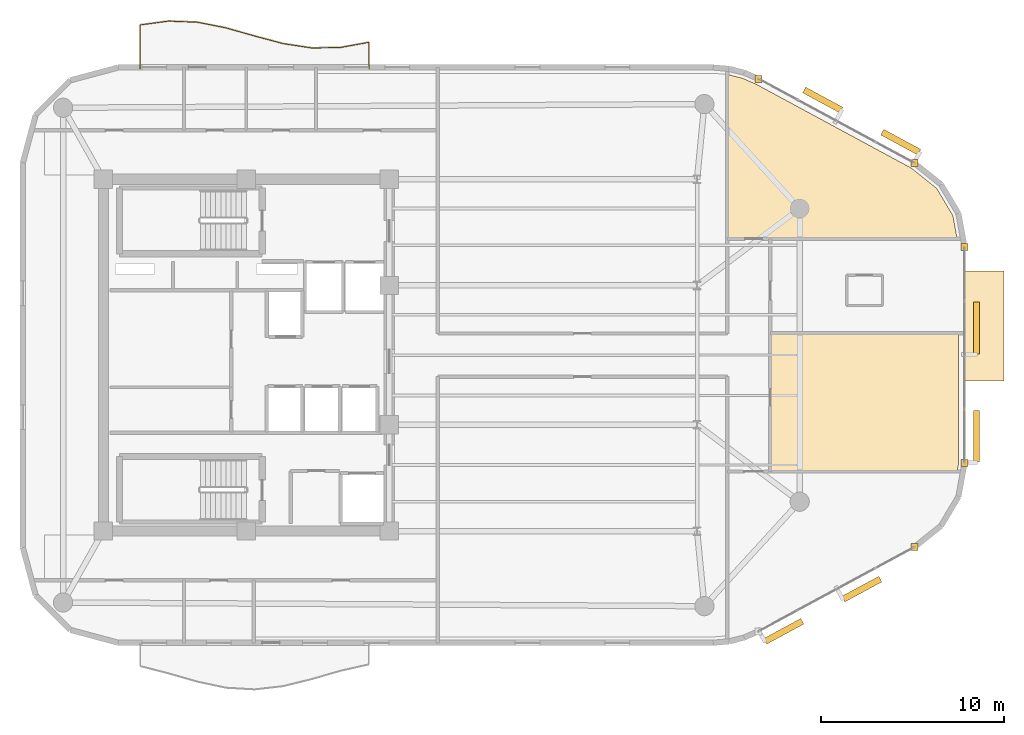
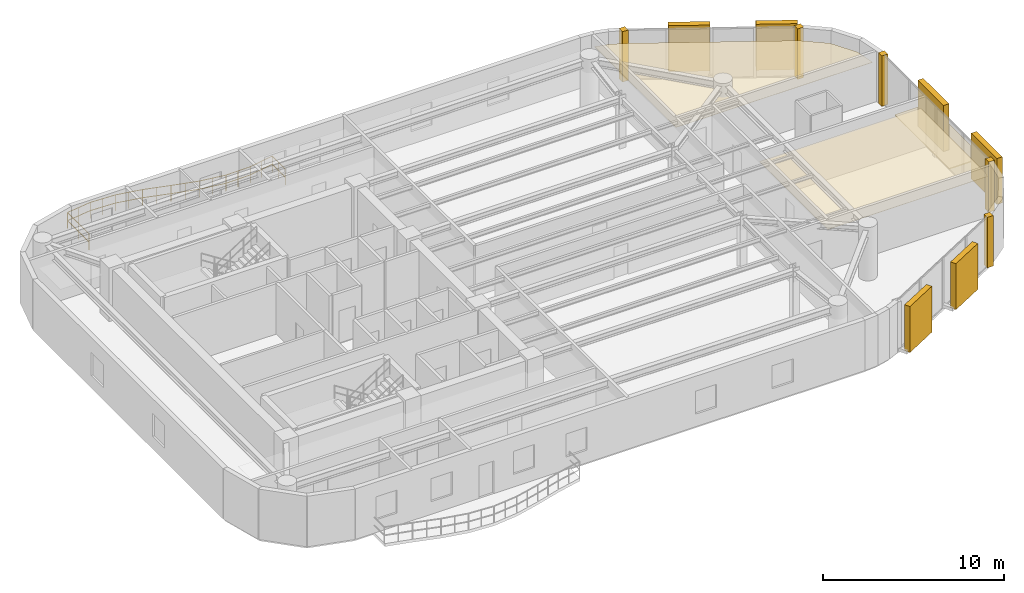
# One storey, part 13 of 13: 8 coverings, 6 shading devices, 1 railing.
"""IFC4 building model written with IfcOpenShell, lengths in metres."""

from ifc_helpers import new_model, si_unit, direction, frame, origin, origin_2d, place, context, subcontext, project, spatial, polyline, rectangle, circle, outline, extrude, material, layer, layer_set, type_object, element, save


model = new_model("IFC4")

# Units and contexts
model_context = context("Model", 3, precision=1e-05, world=origin(), true_north=direction((0.0, 1.0)))
body_context = subcontext(model_context, "Body", "Model", "MODEL_VIEW")
ifc_project = project(units=[si_unit("LENGTHUNIT", "METRE"), si_unit("AREAUNIT", "SQUARE_METRE"), si_unit("VOLUMEUNIT", "CUBIC_METRE"), si_unit("PLANEANGLEUNIT", "RADIAN"), si_unit("MASSUNIT", "GRAM", prefix="KILO")], contexts=[model_context])

# Site, building, storey
site_placement = place(None, origin())
site = spatial("IfcSite", under=ifc_project, at=site_placement, CompositionType="ELEMENT")
building_placement = place(site_placement, origin())
building = spatial("IfcBuilding", under=site, at=building_placement, Name="An Khanh Terracotta Commons", CompositionType="ELEMENT")
storey_placement = place(building_placement, frame((0.0, 0.0, 233.699951171875)))
storey = spatial("IfcBuildingStorey", under=building, at=storey_placement, Name="L61", CompositionType="ELEMENT", Elevation=233.699951171875)

# Coverings
ifc_material_1 = material(Name="Perforated Mineral-Fibre Acoustic Tile")
ifc_layer_1 = layer(ifc_material_1, 0.02001953125, Name="Perforated Mineral-Fibre Acoustic Tile")
ifc_layer_set_1 = layer_set([ifc_layer_1], Name="Perforated Mineral-Fibre Acoustic Tile")
covering_type_1 = type_object("IfcCoveringType", Name="CEIL-ACOUSTIC-18", PredefinedType="CEILING", material=ifc_layer_set_1)
covering_1_placement = place(storey_placement, frame((0.0, 0.0, 2.650146484375)))
element("IfcCovering", 1, at=covering_1_placement, inside=storey, type_object=covering_type_1, Name="L61 Music Practice Hall Ceiling", PredefinedType="CEILING", context=body_context, shape_type="SweptSolid", body=[
    extrude(outline(polyline([(55.68701171875, 39.31201171875), (56.467041015625, 39.114990234375), (57.217041015625, 38.787109375), (65.695068359375, 34.2060546875), (67.074951171875, 33.10205078125), (67.964111328125, 31.610107421875), (68.193115234375, 30.35009765625), (58.0, 30.35009765625), (55.64990234375, 30.35009765625), (55.64990234375, 39.31494140625), (55.68701171875, 39.31201171875)])), origin(), (0.0, 0.0, 1.0), 0.02001953125),
])
covering_2_placement = place(storey_placement, frame((0.0, 0.0, 2.650146484375)))
element("IfcCovering", 2, at=covering_2_placement, inside=storey, type_object=covering_type_1, Name="L61 Riverfront Study Lounge Ceiling", PredefinedType="CEILING", context=body_context, shape_type="SweptSolid", body=[
    extrude(outline(polyline([(68.280029296875, 18.1298828125), (68.193115234375, 17.64990234375), (58.0, 17.64990234375), (58.0, 22.820068359375), (58.0, 25.179931640625), (58.0, 25.199951171875), (68.280029296875, 25.199951171875), (68.280029296875, 18.1298828125)])), origin(), (0.0, 0.0, 1.0), 0.02001953125),
])
ifc_material_2 = material(Name="Fired Terracotta Rainscreen Cladding", Category="masonry")
ifc_layer_2 = layer(ifc_material_2, 0.080078125, Name="Fired Terracotta Rainscreen Cladding")
ifc_layer_set_2 = layer_set([ifc_layer_2], Name="Fired Terracotta Rainscreen Cladding")
covering_type_2 = type_object("IfcCoveringType", Name="COV-JAMB-TERRA", PredefinedType="CLADDING", material=ifc_layer_set_2)
for number, where, z_axis, x_axis, name in (
    (3, (65.8720703125, 13.52587890625, 0.0), (0.0, 0.0, 1.0), (1.0, 0.0, 0.0), "L61 CW-03 Curtain-Wall Jamb Closure JB"),
    (4, (68.60009765625, 18.10107421875, 0.0), (0.0, 0.0, 1.0), (1.0, 0.0, 0.0), "L61 CW-03 Curtain-Wall Jamb Closure JA"),
    (5, (68.60009765625, 29.89892578125, 0.0), (0.0, 0.0, 1.0), (1.0, 0.0, 0.0), "L61 CW-03 Curtain-Wall Jamb Closure JB"),
    (6, (65.8720703125, 34.47412109375, 0.0), (0.0, 0.0, 1.0), (1.0, 0.0, 0.0), "L61 CW-03 Curtain-Wall Jamb Closure JA"),
    (7, (57.35693359375, 39.074951171875, 0.0), (0.0, 0.0, 1.0), (1.0, 0.0, 0.0), "L61 CW-03 Curtain-Wall Jamb Closure JB"),
):
    element("IfcCovering", number, at=place(storey_placement, frame(where, z_axis=z_axis, x_axis=x_axis)), inside=storey, type_object=covering_type_2, Name=name, PredefinedType="CLADDING", context=body_context, shape_type="SweptSolid", body=[
        extrude(rectangle(XDim=0.3798828125, YDim=0.3798828125, at=origin_2d()), origin(), (0.0, 0.0, 1.0), 3.39990234375),
    ])
ifc_material_3 = material(Name="Planted Garden Waterproofing Membrane")
ifc_layer_3 = layer(ifc_material_3, 0.080078125, Name="Planted Garden Waterproofing Membrane")
ifc_layer_set_3 = layer_set([ifc_layer_3], Name="Planted Garden Waterproofing Membrane")
covering_type_3 = type_object("IfcCoveringType", Name="COV-ROOFING-GREEN", PredefinedType="ROOFING", material=ifc_layer_set_3)
covering_3_placement = place(storey_placement, origin())
element("IfcCovering", 8, at=covering_3_placement, inside=storey, type_object=covering_type_3, Name="L61 Shifted Box Roof Waterproofing (L60)", PredefinedType="ROOFING", context=body_context, shape_type="SweptSolid", body=[
    extrude(outline(polyline([(68.60009765625, 22.60009765625), (70.75, 22.60009765625), (70.75, 28.60009765625), (68.60009765625, 28.60009765625), (68.60009765625, 22.60009765625)])), origin(), (0.0, 0.0, 1.0), 0.06005859375),
])

# Railing
ifc_material_4 = material(Name="Brushed Stainless Steel 316", Category="steel")
railing_type = type_object("IfcRailingType", Name="RAIL-BALUSTRADE-1100", PredefinedType="BALUSTRADE", material=ifc_material_4)
railing_placement = place(storey_placement, frame((36.10009765625, 39.639892578125, 0.0)))
element("IfcRailing", 9, at=railing_placement, inside=storey, type_object=railing_type, Name="L61 N Wave Balcony Guard Balustrade", PredefinedType="BALUSTRADE", context=body_context, shape_type="SweptSolid", body=[
    extrude(circle(Radius=0.02392578125, at=origin_2d()), frame((0.0, 0.0, 1.076171875), z_axis=(0.0, 1.0, 0.0), x_axis=(-1.0, 0.0, 0.0)), (0.0, 0.0, 1.0), 1.43310546875),
    extrude(circle(Radius=0.02392578125, at=origin_2d()), frame((0.0, 0.0, 0.52587890625), z_axis=(0.0, 1.0, 0.0), x_axis=(-1.0, 0.0, 0.0)), (0.0, 0.0, 1.0), 1.43310546875),
    extrude(circle(Radius=0.02392578125, at=origin_2d()), frame((0.0, 1.43310546875, 1.076171875), z_axis=(-0.983985358894, -0.178249301494, 0.0), x_axis=(0.178249301494, -0.983985358894, 0.0)), (0.0, 0.0, 1.0), 1.58740234375),
    extrude(circle(Radius=0.02392578125, at=origin_2d()), frame((0.0, 1.43310546875, 0.52587890625), z_axis=(-0.983985358894, -0.178249301494, 0.0), x_axis=(0.178249301494, -0.983985358894, 0.0)), (0.0, 0.0, 1.0), 1.58740234375),
    extrude(circle(Radius=0.02392578125, at=origin_2d()), frame((-1.56201171875, 1.150146484375, 1.076171875), z_axis=(-0.999838701897, -0.0179602391, 0.0), x_axis=(0.0179602391, -0.999838701897, 0.0)), (0.0, 0.0, 1.0), 1.563232421875),
    extrude(circle(Radius=0.02392578125, at=origin_2d()), frame((-1.56201171875, 1.150146484375, 0.52587890625), z_axis=(-0.999838701897, -0.0179602391, 0.0), x_axis=(0.0179602391, -0.999838701897, 0.0)), (0.0, 0.0, 1.0), 1.563232421875),
    extrude(circle(Radius=0.02392578125, at=origin_2d()), frame((-3.125, 1.1220703125, 1.076171875), z_axis=(-0.988586841473, 0.150652105414, 0.0), x_axis=(-0.150652105414, -0.988586841473, 0.0)), (0.0, 0.0, 1.0), 1.580078125),
    extrude(circle(Radius=0.02392578125, at=origin_2d()), frame((-3.125, 1.1220703125, 0.52587890625), z_axis=(-0.988586841473, 0.150652105414, 0.0), x_axis=(-0.150652105414, -0.988586841473, 0.0)), (0.0, 0.0, 1.0), 1.580078125),
    extrude(circle(Radius=0.02392578125, at=origin_2d()), frame((-4.68701171875, 1.360107421875, 1.076171875), z_axis=(-0.966355089951, 0.257211664054, 0.0), x_axis=(-0.257211664054, -0.966355089951, 0.0)), (0.0, 0.0, 1.0), 1.617431640625),
    extrude(circle(Radius=0.02392578125, at=origin_2d()), frame((-4.68701171875, 1.360107421875, 0.52587890625), z_axis=(-0.966355089951, 0.257211664054, 0.0), x_axis=(-0.257211664054, -0.966355089951, 0.0)), (0.0, 0.0, 1.0), 1.617431640625),
    extrude(circle(Radius=0.02392578125, at=origin_2d()), frame((-6.25, 1.776123046875, 1.076171875), z_axis=(-0.961880547912, 0.273469946335, 0.0), x_axis=(-0.273469946335, -0.961880547912, 0.0)), (0.0, 0.0, 1.0), 1.6240234375),
    extrude(circle(Radius=0.02392578125, at=origin_2d()), frame((-6.25, 1.776123046875, 0.52587890625), z_axis=(-0.961880547912, 0.273469946335, 0.0), x_axis=(-0.273469946335, -0.961880547912, 0.0)), (0.0, 0.0, 1.0), 1.6240234375),
    extrude(circle(Radius=0.02392578125, at=origin_2d()), frame((-7.81201171875, 2.22021484375, 1.076171875), z_axis=(-0.981148273046, 0.193256478024, 0.0), x_axis=(-0.193256478024, -0.981148273046, 0.0)), (0.0, 0.0, 1.0), 1.593017578125),
    extrude(circle(Radius=0.02392578125, at=origin_2d()), frame((-7.81201171875, 2.22021484375, 0.52587890625), z_axis=(-0.981148273046, 0.193256478024, 0.0), x_axis=(-0.193256478024, -0.981148273046, 0.0)), (0.0, 0.0, 1.0), 1.593017578125),
    extrude(circle(Radius=0.02392578125, at=origin_2d()), frame((-9.375, 2.528076171875, 1.076171875), z_axis=(-0.999237456582, 0.039044914684, 0.0), x_axis=(-0.039044914684, -0.999237456582, 0.0)), (0.0, 0.0, 1.0), 1.563232421875),
    extrude(circle(Radius=0.02392578125, at=origin_2d()), frame((-9.375, 2.528076171875, 0.52587890625), z_axis=(-0.999237456582, 0.039044914684, 0.0), x_axis=(-0.039044914684, -0.999237456582, 0.0)), (0.0, 0.0, 1.0), 1.563232421875),
    extrude(circle(Radius=0.02392578125, at=origin_2d()), frame((-10.93701171875, 2.589111328125, 1.076171875), z_axis=(-0.991179155362, -0.132528796781, 0.0), x_axis=(0.132528796781, -0.991179155362, 0.0)), (0.0, 0.0, 1.0), 1.576904296875),
    extrude(circle(Radius=0.02392578125, at=origin_2d()), frame((-10.93701171875, 2.589111328125, 0.52587890625), z_axis=(-0.991179155362, -0.132528796781, 0.0), x_axis=(0.132528796781, -0.991179155362, 0.0)), (0.0, 0.0, 1.0), 1.576904296875),
    extrude(circle(Radius=0.02392578125, at=origin_2d()), frame((-12.5, 2.380126953125, 1.076171875), z_axis=(0.0, -1.0, 0.0), x_axis=(1.0, 0.0, 0.0)), (0.0, 0.0, 1.0), 2.380126953125),
    extrude(circle(Radius=0.02392578125, at=origin_2d()), frame((-12.5, 2.380126953125, 0.52587890625), z_axis=(0.0, -1.0, 0.0), x_axis=(1.0, 0.0, 0.0)), (0.0, 0.0, 1.0), 2.380126953125),
    extrude(circle(Radius=0.02099609375, at=origin_2d()), origin(), (0.0, 0.0, 1.0), 1.052001953125),
    extrude(circle(Radius=0.02099609375, at=origin_2d()), frame((0.0, 0.716552734375, 0.0)), (0.0, 0.0, 1.0), 1.052001953125),
    extrude(circle(Radius=0.02099609375, at=origin_2d()), frame((0.0, 1.43310546875, 0.0)), (0.0, 0.0, 1.0), 1.052001953125),
    extrude(circle(Radius=0.02099609375, at=origin_2d()), frame((-0.781005859375, 1.29150390625, 0.0)), (0.0, 0.0, 1.0), 1.052001953125),
    extrude(circle(Radius=0.02099609375, at=origin_2d()), frame((-1.56201171875, 1.150146484375, 0.0)), (0.0, 0.0, 1.0), 1.052001953125),
    extrude(circle(Radius=0.02099609375, at=origin_2d()), frame((-2.343505859375, 1.13623046875, 0.0)), (0.0, 0.0, 1.0), 1.052001953125),
    extrude(circle(Radius=0.02099609375, at=origin_2d()), frame((-3.125, 1.1220703125, 0.0)), (0.0, 0.0, 1.0), 1.052001953125),
    extrude(circle(Radius=0.02099609375, at=origin_2d()), frame((-3.906005859375, 1.2412109375, 0.0)), (0.0, 0.0, 1.0), 1.052001953125),
    extrude(circle(Radius=0.02099609375, at=origin_2d()), frame((-4.68701171875, 1.360107421875, 0.0)), (0.0, 0.0, 1.0), 1.052001953125),
    extrude(circle(Radius=0.02099609375, at=origin_2d()), frame((-5.468505859375, 1.568115234375, 0.0)), (0.0, 0.0, 1.0), 1.052001953125),
    extrude(circle(Radius=0.02099609375, at=origin_2d()), frame((-6.25, 1.776123046875, 0.0)), (0.0, 0.0, 1.0), 1.052001953125),
    extrude(circle(Radius=0.02099609375, at=origin_2d()), frame((-7.031005859375, 1.998046875, 0.0)), (0.0, 0.0, 1.0), 1.052001953125),
    extrude(circle(Radius=0.02099609375, at=origin_2d()), frame((-7.81201171875, 2.22021484375, 0.0)), (0.0, 0.0, 1.0), 1.052001953125),
    extrude(circle(Radius=0.02099609375, at=origin_2d()), frame((-8.593505859375, 2.3740234375, 0.0)), (0.0, 0.0, 1.0), 1.052001953125),
    extrude(circle(Radius=0.02099609375, at=origin_2d()), frame((-9.375, 2.528076171875, 0.0)), (0.0, 0.0, 1.0), 1.052001953125),
    extrude(circle(Radius=0.02099609375, at=origin_2d()), frame((-10.156005859375, 2.55859375, 0.0)), (0.0, 0.0, 1.0), 1.052001953125),
    extrude(circle(Radius=0.02099609375, at=origin_2d()), frame((-10.93701171875, 2.589111328125, 0.0)), (0.0, 0.0, 1.0), 1.052001953125),
    extrude(circle(Radius=0.02099609375, at=origin_2d()), frame((-11.718505859375, 2.484619140625, 0.0)), (0.0, 0.0, 1.0), 1.052001953125),
    extrude(circle(Radius=0.02099609375, at=origin_2d()), frame((-12.5, 2.380126953125, 0.0)), (0.0, 0.0, 1.0), 1.052001953125),
    extrude(circle(Radius=0.02099609375, at=origin_2d()), frame((-12.5, 1.18994140625, 0.0)), (0.0, 0.0, 1.0), 1.052001953125),
    extrude(circle(Radius=0.02099609375, at=origin_2d()), frame((-12.5, 0.0, 0.0)), (0.0, 0.0, 1.0), 1.052001953125),
])

# Shading devices
ifc_material_5 = material(Name="Extruded Fired Terracotta", Category="masonry")
shading_device_type = type_object("IfcShadingDeviceType", Name="Terracotta Baguette Screen Assembly", PredefinedType="USERDEFINED", material=ifc_material_5)
for number, where, z_axis, x_axis, name in (
    (10, (58.72998046875, 8.927978515625, 0.14990234375), (0.0, 0.0, 1.0), (0.879780095306, 0.47538088298, 0.0), "L61 Terracotta Baguette Screen 1"),
    (11, (62.988037109375, 11.22900390625, 0.14990234375), (0.0, 0.0, 1.0), (0.879780095306, 0.47538088298, 0.0), "L61 Terracotta Baguette Screen 3"),
):
    element("IfcShadingDevice", number, at=place(storey_placement, frame(where, z_axis=z_axis, x_axis=x_axis)), inside=storey, type_object=shading_device_type, Name=name, ObjectType="BAGUETTE", PredefinedType="USERDEFINED", context=body_context, shape_type="SweptSolid", body=[
        extrude(rectangle(XDim=2.300048828125, YDim=0.35009765625, at=origin_2d()), origin(), (0.0, 0.0, 1.0), 3.10009765625),
    ])
for number, where, z_axis, x_axis, name in (
    (12, (69.25, 19.575927734375, 0.14990234375), (0.0, 0.0, 1.0), (0.0, 1.0, 0.0), "L61 Terracotta Baguette Screen 1"),
    (13, (69.25, 25.47509765625, 0.14990234375), (0.0, 0.0, 1.0), (0.0, 1.0, 0.0), "L61 Terracotta Baguette Screen 3"),
):
    element("IfcShadingDevice", number, at=place(storey_placement, frame(where, z_axis=z_axis, x_axis=x_axis)), inside=storey, type_object=shading_device_type, Name=name, ObjectType="BAGUETTE", PredefinedType="USERDEFINED", context=body_context, shape_type="SweptSolid", body=[
        extrude(rectangle(XDim=2.830078125, YDim=0.35009765625, at=origin_2d()), origin(), (0.0, 0.0, 1.0), 3.10009765625),
    ])
for number, where, z_axis, x_axis, name in (
    (14, (65.116943359375, 35.62109375, 0.14990234375), (0.0, 0.0, 1.0), (-0.879780095306, 0.47538088298, 0.0), "L61 Terracotta Baguette Screen 1"),
    (15, (60.85888671875, 37.9208984375, 0.14990234375), (0.0, 0.0, 1.0), (-0.879780095306, 0.47538088298, 0.0), "L61 Terracotta Baguette Screen 3"),
):
    element("IfcShadingDevice", number, at=place(storey_placement, frame(where, z_axis=z_axis, x_axis=x_axis)), inside=storey, type_object=shading_device_type, Name=name, ObjectType="BAGUETTE", PredefinedType="USERDEFINED", context=body_context, shape_type="SweptSolid", body=[
        extrude(rectangle(XDim=2.300048828125, YDim=0.35009765625, at=origin_2d()), origin(), (0.0, 0.0, 1.0), 3.10009765625),
    ])

save(model, "model.ifc")
